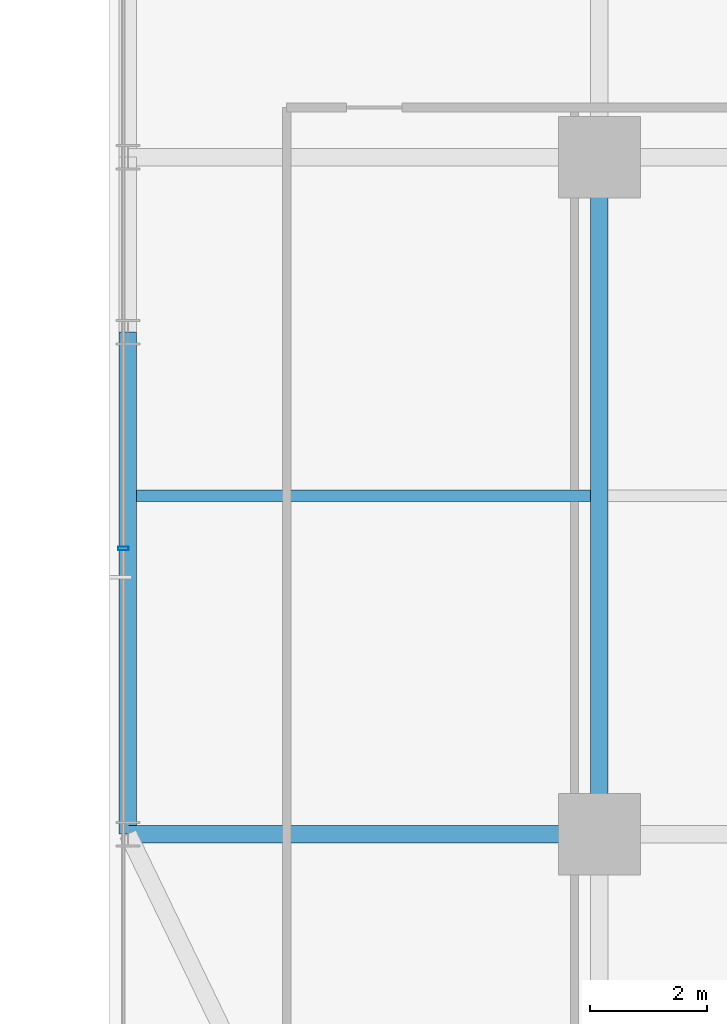
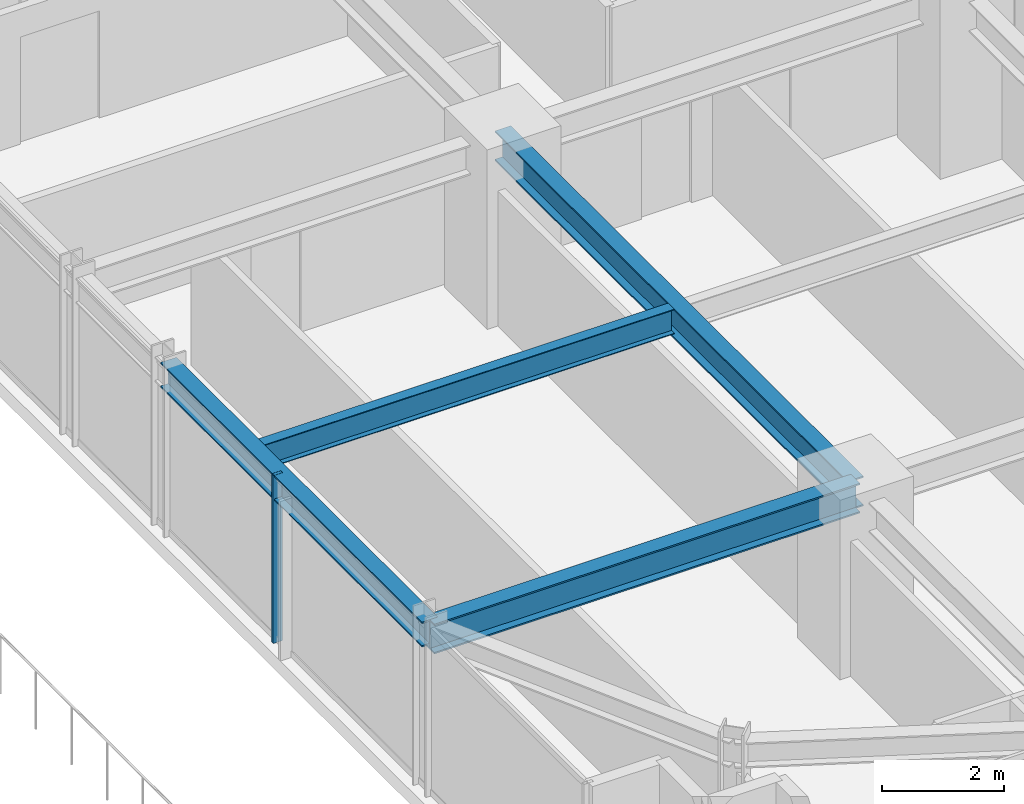
# One storey, part 5 of 39: 4 beams, 1 member, 1 element without a shape of its own.
"""IFC4 building model written with IfcOpenShell, lengths in metres."""

from ifc_helpers import new_model, si_unit, direction, frame, origin, origin_2d, place, context, subcontext, project, spatial, hollow_rectangle, i_section, extrude, source, transform, mapped, material, material_profile, profile_set, type_object, element, aggregate, save


model = new_model("IFC4")

# Units and contexts
model_context = context("Model", 3, precision=1e-05, world=origin(), true_north=direction((0.0, 1.0)))
body_context = subcontext(model_context, "Body", "Model", "MODEL_VIEW")
ifc_project = project(units=[si_unit("LENGTHUNIT", "METRE"), si_unit("AREAUNIT", "SQUARE_METRE"), si_unit("VOLUMEUNIT", "CUBIC_METRE"), si_unit("PLANEANGLEUNIT", "RADIAN"), si_unit("MASSUNIT", "GRAM", prefix="KILO")], contexts=[model_context])

# Site, building, storey
site_placement = place(None, origin())
site = spatial("IfcSite", under=ifc_project, at=site_placement, CompositionType="ELEMENT")
building_placement = place(site_placement, origin())
building = spatial("IfcBuilding", under=site, at=building_placement, Name="Nahalor Promenade Grand Hotel", CompositionType="ELEMENT")
storey_placement = place(building_placement, frame((0.0, 0.0, 32.39990234375)))
storey = spatial("IfcBuildingStorey", under=building, at=storey_placement, Name="L06", CompositionType="ELEMENT", Elevation=32.39990234375)

# Beams
ifc_material_1 = material(Name="Steel S355JR", Category="steel")
ifc_material_profile_1 = material_profile(ifc_material_1, i_section(OverallWidth=0.3, OverallDepth=0.6, WebThickness=0.0155, FlangeThickness=0.03, at=origin_2d()), Name="HEB 600")
ifc_profile_set_1 = profile_set([ifc_material_profile_1], Name="Steel S355JR")
beam_type_1 = type_object("IfcBeamType", Name="Beam-Girder-HEB600", PredefinedType="BEAM", material=ifc_profile_set_1)
shared_shape_1 = source(origin(), body_context, "Body", "SweptSolid", [
    extrude(i_section(OverallWidth=0.3, OverallDepth=0.6, WebThickness=0.0155, FlangeThickness=0.03, at=origin_2d()), origin(), (0.0, 0.0, 1.0), 11.60009765625),
])
beam_1_placement = place(storey_placement, frame((-17.0, -17.0, 3.070068359375), z_axis=(0.0, 1.0, 0.0), x_axis=(-1.0, 0.0, 0.0)))
element("IfcBeam", 1, at=beam_1_placement, inside=storey, type_object=beam_type_1, Name="BM-L06-GY-0-1", PredefinedType="BEAM", context=body_context, shape_type="MappedRepresentation", body=[
    mapped(shared_shape_1, transform((0.0, 0.0, 0.0), scale=1.0)),
])
ifc_material_profile_2 = material_profile(ifc_material_1, i_section(OverallWidth=0.3, OverallDepth=0.5, WebThickness=0.0145, FlangeThickness=0.028, at=origin_2d()), Name="HEB 500")
ifc_profile_set_2 = profile_set([ifc_material_profile_2], Name="Steel S355JR")
beam_type_2 = type_object("IfcBeamType", Name="Beam-Spandrel-HEB500", PredefinedType="SPANDREL", material=ifc_profile_set_2)
shared_shape_2 = source(origin(), body_context, "Body", "SweptSolid", [
    extrude(i_section(OverallWidth=0.3, OverallDepth=0.5, WebThickness=0.0145, FlangeThickness=0.028, at=origin_2d()), origin(), (0.0, 0.0, 1.0), 8.60009765625),
])
beam_2_placement = place(storey_placement, frame((-25.080078125, -17.0, 3.1201171875), z_axis=(0.0, 1.0, 0.0), x_axis=(-1.0, 0.0, 0.0)))
element("IfcBeam", 2, at=beam_2_placement, inside=storey, type_object=beam_type_2, Name="BM-L06-SP-W-0", PredefinedType="SPANDREL", context=body_context, shape_type="MappedRepresentation", body=[
    mapped(shared_shape_2, transform((0.0, 0.0, 0.0), scale=1.0)),
])
shared_shape_3 = source(origin(), body_context, "Body", "SweptSolid", [
    extrude(i_section(OverallWidth=0.3, OverallDepth=0.6, WebThickness=0.0155, FlangeThickness=0.03, at=origin_2d()), origin(), (0.0, 0.0, 1.0), 8.080078125),
])
beam_3_placement = place(storey_placement, frame((-25.080078125, -17.0, 3.070068359375), z_axis=(1.0, 0.0, 0.0), x_axis=(0.0, 1.0, 0.0)))
element("IfcBeam", 3, at=beam_3_placement, inside=storey, type_object=beam_type_1, Name="BM-L06-GX-0-0", PredefinedType="BEAM", context=body_context, shape_type="MappedRepresentation", body=[
    mapped(shared_shape_3, transform((0.0, 0.0, 0.0), scale=1.0)),
])
ifc_material_profile_3 = material_profile(ifc_material_1, i_section(OverallWidth=0.2, OverallDepth=0.5, WebThickness=0.0102, FlangeThickness=0.016, at=origin_2d()), Name="IPE 500")
ifc_profile_set_3 = profile_set([ifc_material_profile_3], Name="Steel S355JR")
beam_type_3 = type_object("IfcBeamType", Name="Beam-Joist-IPE500", PredefinedType="JOIST", material=ifc_profile_set_3)
shared_shape_4 = source(origin(), body_context, "Body", "SweptSolid", [
    extrude(i_section(OverallWidth=0.2, OverallDepth=0.5, WebThickness=0.0102, FlangeThickness=0.016, at=origin_2d()), origin(), (0.0, 0.0, 1.0), 7.780029296875),
])
beam_4_placement = place(storey_placement, frame((-24.929931640625, -11.199951171875, 3.1201171875), z_axis=(1.0, 0.0, 0.0), x_axis=(0.0, 1.0, 0.0)))
element("IfcBeam", 4, at=beam_4_placement, inside=storey, type_object=beam_type_3, Name="BM-L06-JSW-0-0", PredefinedType="JOIST", context=body_context, shape_type="MappedRepresentation", body=[
    mapped(shared_shape_4, transform((0.0, 0.0, 0.0), scale=1.0)),
])

# Curtain wall, member
ifc_material_2 = material(Name="Anodised Bronze Aluminium EN AW-6063 T6", Category="aluminium")
curtain_wall_type = type_object("IfcCurtainWallType", Name="CW2 Typical Hotel Flush Bronze Unitised Curtain Wall", PredefinedType="USERDEFINED", material=ifc_material_2)
curtain_wall_placement = place(storey_placement, origin())
curtain_wall = element("IfcCurtainWall", 5, at=curtain_wall_placement, inside=storey, type_object=curtain_wall_type, Name="L06 Curtain Wall CW-L06-W-1", ObjectType="UNITISED_CURTAIN_WALL", PredefinedType="USERDEFINED")
ifc_material_profile_4 = material_profile(ifc_material_2, hollow_rectangle(XDim=0.065, YDim=0.18, WallThickness=0.004, at=origin_2d()), Name="CWM 65x180x4")
ifc_profile_set_4 = profile_set([ifc_material_profile_4], Name="Anodised Bronze Aluminium EN AW-6063 T6")
member_type = type_object("IfcMemberType", Name="CWM2 Typical Bronze Mullion 65x180", PredefinedType="MULLION", material=ifc_profile_set_4)
shared_shape_5 = source(origin(), body_context, "Body", "SweptSolid", [
    extrude(hollow_rectangle(XDim=0.065, YDim=0.18, WallThickness=0.004, at=origin_2d()), origin(), (0.0, 0.0, 1.0), 3.3701171875),
])
member_placement = place(storey_placement, frame((-25.159912109375, -12.106689453125, 0.0), z_axis=(0.0, 0.0, 1.0), x_axis=(0.0, 1.0, 0.0)))
member = element("IfcMember", 6, at=member_placement, type_object=member_type, Name="CW-L06-W-1 Mullion 1", PredefinedType="MULLION", context=body_context, shape_type="MappedRepresentation", body=[
    mapped(shared_shape_5, transform((0.0, 0.0, 0.0), scale=1.0)),
])
aggregate(curtain_wall, [member])

save(model, "model.ifc")
